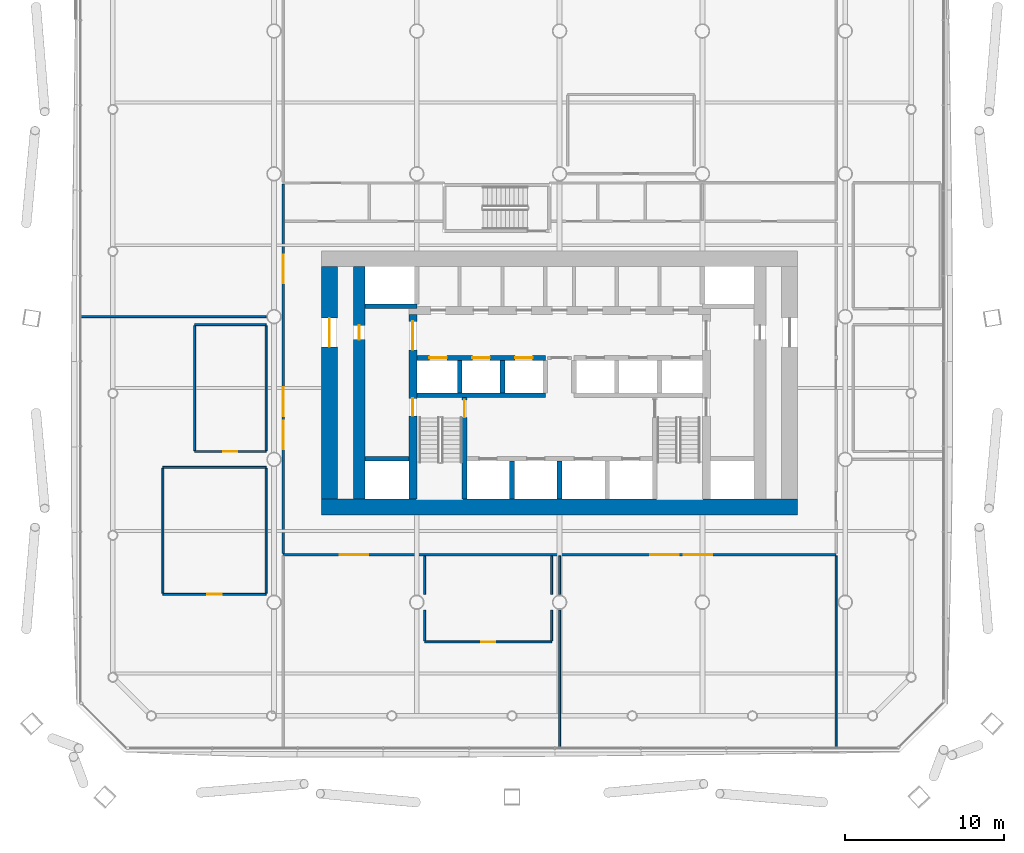
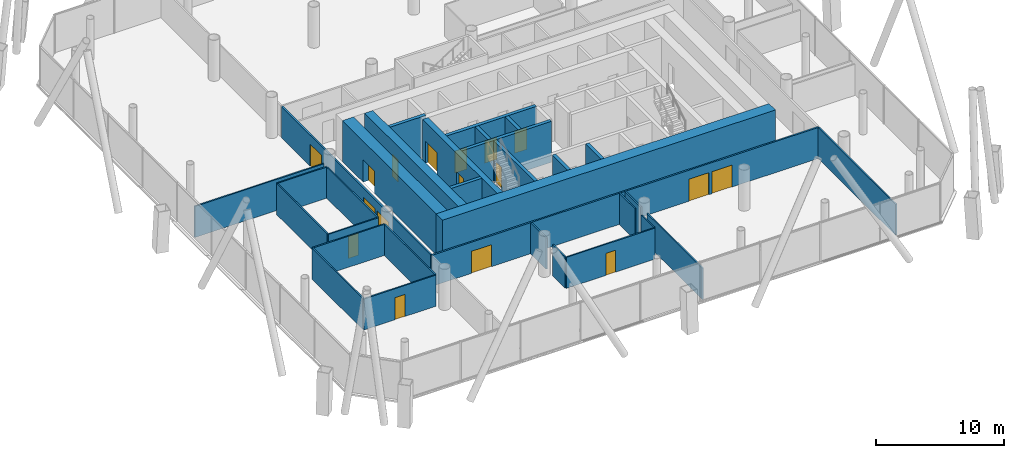
# One storey, part 17 of 25: 32 walls, 17 doors, 17 openings.
"""IFC4 building model written with IfcOpenShell, lengths in metres."""

from ifc_helpers import new_model, si_unit, direction, frame, frame_2d, origin, place, context, subcontext, project, spatial, rectangle, extrude, material, layer, layer_set, type_object, element, fill, save


model = new_model("IFC4")

# Units and contexts
model_context = context("Model", 3, precision=1e-05, world=origin(), true_north=direction((0.0, 1.0)))
body_context = subcontext(model_context, "Body", "Model", "MODEL_VIEW")
ifc_project = project(units=[si_unit("LENGTHUNIT", "METRE"), si_unit("AREAUNIT", "SQUARE_METRE"), si_unit("VOLUMEUNIT", "CUBIC_METRE"), si_unit("PLANEANGLEUNIT", "RADIAN"), si_unit("MASSUNIT", "GRAM", prefix="KILO")], contexts=[model_context])

# Site, building, storey
site_placement = place(None, origin())
site = spatial("IfcSite", under=ifc_project, at=site_placement, CompositionType="ELEMENT")
building_placement = place(site_placement, origin())
building = spatial("IfcBuilding", under=site, at=building_placement, Name="Tskaro Facet Tower", CompositionType="ELEMENT")
storey_placement = place(building_placement, frame((0.0, 0.0, 22.5)))
storey = spatial("IfcBuildingStorey", under=building, at=storey_placement, Name="L04", CompositionType="ELEMENT", Elevation=22.5)

# Walls
ifc_material_1 = material(Name="Concrete C60/75", Category="concrete")
ifc_layer_1 = layer(ifc_material_1, 0.300048828125, Name="Concrete C60/75")
ifc_layer_set_1 = layer_set([ifc_layer_1], Name="Concrete C60/75")
wall_type_1 = type_object("IfcWallType", Name="CORE-SHAFT", PredefinedType="SHEAR", material=ifc_layer_set_1)
wall_1_placement = place(storey_placement, frame((-12.25, -8.949951171875, 0.0), z_axis=(0.0, 0.0, 1.0), x_axis=(1.0, 0.0, 0.0)))
element("IfcWall", 1, at=wall_1_placement, inside=storey, type_object=wall_type_1, Name="Shaft wall W006", PredefinedType="SHEAR", context=body_context, shape_type="SweptSolid", body=[
    extrude(rectangle(XDim=2.75, YDim=0.300048828125, at=frame_2d((1.375, 0.0))), origin(), (0.0, 0.0, 1.0), 3.89990234375),
])
wall_2_placement = place(storey_placement, frame((-9.0, -4.949951171875, 0.0), z_axis=(0.0, 0.0, 1.0), x_axis=(1.0, 0.0, 0.0)))
element("IfcWall", 2, at=wall_2_placement, inside=storey, type_object=wall_type_1, Name="Shaft wall W011", PredefinedType="SHEAR", context=body_context, shape_type="SweptSolid", body=[
    extrude(rectangle(XDim=8.10009765625, YDim=0.300048828125, at=frame_2d((4.050048828125, 0.0))), origin(), (0.0, 0.0, 1.0), 3.89990234375),
])

# Wall, openings, doors
wall_3_placement = place(storey_placement, frame((-9.0, -2.60009765625, 0.0), z_axis=(0.0, 0.0, 1.0), x_axis=(1.0, 0.0, 0.0)))
wall_3 = element("IfcWall", 3, at=wall_3_placement, inside=storey, type_object=wall_type_1, Name="Shaft wall W013", PredefinedType="SHEAR", context=body_context, shape_type="SweptSolid", body=[
    extrude(rectangle(XDim=8.10009765625, YDim=0.300048828125, at=frame_2d((4.050048828125, 0.0))), origin(), (0.0, 0.0, 1.0), 3.89990234375),
])
opening_1_placement = place(wall_3_placement, frame((0.800048828125, 0.0, 0.0)))
opening_1 = element("IfcOpeningElement", 4, at=opening_1_placement, cuts=wall_3, Name="Opening LD-LR1", PredefinedType="OPENING", context=body_context, shape_type="SweptSolid", body=[
    extrude(rectangle(XDim=1.10009765625, YDim=2.10009765625, at=frame_2d((0.550048828125, 1.050048828125))), frame((0.0, 0.159912109375, 0.0), z_axis=(0.0, -1.0, 0.0), x_axis=(1.0, 0.0, 0.0)), (0.0, 0.0, 1.0), 0.320068359375),
])
opening_2_placement = place(wall_3_placement, frame((3.5, 0.0, 0.0)))
opening_2 = element("IfcOpeningElement", 5, at=opening_2_placement, cuts=wall_3, Name="Opening LD-LR2", PredefinedType="OPENING", context=body_context, shape_type="SweptSolid", body=[
    extrude(rectangle(XDim=1.10009765625, YDim=2.10009765625, at=frame_2d((0.550048828125, 1.050048828125))), frame((0.0, 0.159912109375, 0.0), z_axis=(0.0, -1.0, 0.0), x_axis=(1.0, 0.0, 0.0)), (0.0, 0.0, 1.0), 0.320068359375),
])
opening_3_placement = place(wall_3_placement, frame((6.199951171875, 0.0, 0.0)))
opening_3 = element("IfcOpeningElement", 6, at=opening_3_placement, cuts=wall_3, Name="Opening LD-LR3", PredefinedType="OPENING", context=body_context, shape_type="SweptSolid", body=[
    extrude(rectangle(XDim=1.10009765625, YDim=2.10009765625, at=frame_2d((0.550048828125, 1.050048828125))), frame((0.0, 0.159912109375, 0.0), z_axis=(0.0, -1.0, 0.0), x_axis=(1.0, 0.0, 0.0)), (0.0, 0.0, 1.0), 0.320068359375),
])
ifc_material_2 = material(Name="Stainless steel", Category="steel")
door_type_1 = type_object("IfcDoorType", Name="D-LANDING", OperationType="NOTDEFINED", PredefinedType="DOOR", material=ifc_material_2)
door_1_placement = place(opening_1_placement, origin())
door_1 = element("IfcDoor", 7, at=door_1_placement, inside=storey, type_object=door_type_1, Name="Landing door LR1", OperationType="DOUBLE_DOOR_SLIDING", OverallHeight=2.10009765625, OverallWidth=1.10009765625, PredefinedType="DOOR", context=body_context, shape_type="SweptSolid", body=[
    extrude(rectangle(XDim=1.10009765625, YDim=2.10009765625, at=frame_2d((0.550048828125, 1.050048828125))), frame((0.0, 0.02490234375, 0.0), z_axis=(0.0, -1.0, 0.0), x_axis=(1.0, 0.0, 0.0)), (0.0, 0.0, 1.0), 0.050048828125),
])
fill(opening_1, door_1)
door_2_placement = place(opening_2_placement, origin())
door_2 = element("IfcDoor", 8, at=door_2_placement, inside=storey, type_object=door_type_1, Name="Landing door LR2", OperationType="DOUBLE_DOOR_SLIDING", OverallHeight=2.10009765625, OverallWidth=1.10009765625, PredefinedType="DOOR", context=body_context, shape_type="SweptSolid", body=[
    extrude(rectangle(XDim=1.10009765625, YDim=2.10009765625, at=frame_2d((0.550048828125, 1.050048828125))), frame((0.0, 0.02490234375, 0.0), z_axis=(0.0, -1.0, 0.0), x_axis=(1.0, 0.0, 0.0)), (0.0, 0.0, 1.0), 0.050048828125),
])
fill(opening_2, door_2)
door_3_placement = place(opening_3_placement, origin())
door_3 = element("IfcDoor", 9, at=door_3_placement, inside=storey, type_object=door_type_1, Name="Landing door LR3", OperationType="DOUBLE_DOOR_SLIDING", OverallHeight=2.10009765625, OverallWidth=1.10009765625, PredefinedType="DOOR", context=body_context, shape_type="SweptSolid", body=[
    extrude(rectangle(XDim=1.10009765625, YDim=2.10009765625, at=frame_2d((0.550048828125, 1.050048828125))), frame((0.0, 0.02490234375, 0.0), z_axis=(0.0, -1.0, 0.0), x_axis=(1.0, 0.0, 0.0)), (0.0, 0.0, 1.0), 0.050048828125),
])
fill(opening_3, door_3)

# Walls
wall_4_placement = place(storey_placement, frame((-9.0, 0.64990234375, 0.0), z_axis=(0.0, 0.0, 1.0), x_axis=(-1.0, 0.0, 0.0)))
element("IfcWall", 10, at=wall_4_placement, inside=storey, type_object=wall_type_1, Name="Shaft wall W020", PredefinedType="SHEAR", context=body_context, shape_type="SweptSolid", body=[
    extrude(rectangle(XDim=3.25, YDim=0.300048828125, at=frame_2d((1.625, 0.0))), origin(), (0.0, 0.0, 1.0), 3.89990234375),
])
wall_5_placement = place(storey_placement, frame((-6.300048828125, -4.800048828125, 0.0), z_axis=(0.0, 0.0, 1.0), x_axis=(0.0, 1.0, 0.0)))
element("IfcWall", 11, at=wall_5_placement, inside=storey, type_object=wall_type_1, Name="Shaft wall W044", PredefinedType="SHEAR", context=body_context, shape_type="SweptSolid", body=[
    extrude(rectangle(XDim=2.050048828125, YDim=0.300048828125, at=frame_2d((1.02490234375, 0.0))), origin(), (0.0, 0.0, 1.0), 3.89990234375),
])

# Wall, opening, door
wall_6_placement = place(storey_placement, frame((-6.0, -11.5, 0.0), z_axis=(0.0, 0.0, 1.0), x_axis=(0.0, 1.0, 0.0)))
wall_6 = element("IfcWall", 12, at=wall_6_placement, inside=storey, type_object=wall_type_1, Name="Shaft wall W046", PredefinedType="SHEAR", context=body_context, shape_type="SweptSolid", body=[
    extrude(rectangle(XDim=6.39990234375, YDim=0.300048828125, at=frame_2d((3.199951171875, 0.0))), origin(), (0.0, 0.0, 1.0), 3.89990234375),
])
opening_4_placement = place(wall_6_placement, frame((5.14990234375, 0.0, 0.0)))
opening_4 = element("IfcOpeningElement", 13, at=opening_4_placement, cuts=wall_6, Name="Opening ST-1-D1", PredefinedType="OPENING", context=body_context, shape_type="SweptSolid", body=[
    extrude(rectangle(XDim=1.10009765625, YDim=2.10009765625, at=frame_2d((0.550048828125, 1.050048828125))), frame((0.0, 0.159912109375, 0.0), z_axis=(0.0, -1.0, 0.0), x_axis=(1.0, 0.0, 0.0)), (0.0, 0.0, 1.0), 0.320068359375),
])
ifc_material_3 = material(Name="Steel", Category="steel")
door_type_2 = type_object("IfcDoorType", Name="D-STAIR", OperationType="NOTDEFINED", PredefinedType="DOOR", material=ifc_material_3)
door_4_placement = place(opening_4_placement, origin())
door_4 = element("IfcDoor", 14, at=door_4_placement, inside=storey, type_object=door_type_2, Name="Stair door 1", OperationType="SINGLE_SWING_LEFT", OverallHeight=2.10009765625, OverallWidth=1.10009765625, PredefinedType="DOOR", context=body_context, shape_type="SweptSolid", body=[
    extrude(rectangle(XDim=1.10009765625, YDim=2.10009765625, at=frame_2d((0.550048828125, 1.050048828125))), frame((0.0, 0.02490234375, 0.0), z_axis=(0.0, -1.0, 0.0), x_axis=(1.0, 0.0, 0.0)), (0.0, 0.0, 1.0), 0.050048828125),
])
fill(opening_4, door_4)

# Walls
wall_7_placement = place(storey_placement, frame((-3.60009765625, -4.800048828125, 0.0), z_axis=(0.0, 0.0, 1.0), x_axis=(0.0, 1.0, 0.0)))
element("IfcWall", 15, at=wall_7_placement, inside=storey, type_object=wall_type_1, Name="Shaft wall W047", PredefinedType="SHEAR", context=body_context, shape_type="SweptSolid", body=[
    extrude(rectangle(XDim=2.050048828125, YDim=0.300048828125, at=frame_2d((1.02490234375, 0.0))), origin(), (0.0, 0.0, 1.0), 3.89990234375),
])
for number, where, z_axis, x_axis, name in (
    (16, (-3.0, -11.5, 0.0), (0.0, 0.0, 1.0), (0.0, 1.0, 0.0), "Shaft wall W049"),
    (17, (0.0, -11.5, 0.0), (0.0, 0.0, 1.0), (0.0, 1.0, 0.0), "Shaft wall W057"),
):
    element("IfcWall", number, at=place(storey_placement, frame(where, z_axis=z_axis, x_axis=x_axis)), inside=storey, type_object=wall_type_1, Name=name, PredefinedType="SHEAR", context=body_context, shape_type="SweptSolid", body=[
        extrude(rectangle(XDim=2.39990234375, YDim=0.300048828125, at=frame_2d((1.199951171875, 0.0))), origin(), (0.0, 0.0, 1.0), 3.89990234375),
    ])
ifc_layer_2 = layer(ifc_material_1, 1.0, Name="Concrete C60/75")
ifc_layer_set_2 = layer_set([ifc_layer_2], Name="Concrete C60/75")
wall_type_2 = type_object("IfcWallType", Name="Core wall 1000", PredefinedType="SHEAR", material=ifc_layer_set_2)
wall_8_placement = place(storey_placement, frame((-15.0, -12.0, 0.0), z_axis=(0.0, 0.0, 1.0), x_axis=(1.0, 0.0, 0.0)))
element("IfcWall", 18, at=wall_8_placement, inside=storey, type_object=wall_type_2, Name="Core wall CW-Z1S", PredefinedType="SHEAR", context=body_context, shape_type="SweptSolid", body=[
    extrude(rectangle(XDim=30.0, YDim=1.0, at=frame_2d((15.0, 0.0))), origin(), (0.0, 0.0, 1.0), 3.89990234375),
])

# Wall, opening, door
wall_9_placement = place(storey_placement, frame((-14.5, -11.5, 0.0), z_axis=(0.0, 0.0, 1.0), x_axis=(0.0, 1.0, 0.0)))
wall_9 = element("IfcWall", 19, at=wall_9_placement, inside=storey, type_object=wall_type_2, Name="Core wall CW-Z1W", PredefinedType="SHEAR", context=body_context, shape_type="SweptSolid", body=[
    extrude(rectangle(XDim=14.64990234375, YDim=1.0, at=frame_2d((7.324951171875, 0.0))), origin(), (0.0, 0.0, 1.0), 3.89990234375),
])
opening_5_placement = place(wall_9_placement, frame((9.60009765625, 0.0, 0.0)))
opening_5 = element("IfcOpeningElement", 20, at=opening_5_placement, cuts=wall_9, Name="Opening T1-D17", PredefinedType="OPENING", context=body_context, shape_type="SweptSolid", body=[
    extrude(rectangle(XDim=1.800048828125, YDim=2.10009765625, at=frame_2d((0.89990234375, 1.050048828125))), frame((0.0, 0.510009765625, 0.0), z_axis=(0.0, -1.0, 0.0), x_axis=(1.0, 0.0, 0.0)), (0.0, 0.0, 1.0), 1.02001953125),
])
door_type_3 = type_object("IfcDoorType", Name="D-CORE-PAIR", OperationType="NOTDEFINED", PredefinedType="DOOR", material=ifc_material_3)
door_5_placement = place(opening_5_placement, origin())
door_5 = element("IfcDoor", 21, at=door_5_placement, inside=storey, type_object=door_type_3, Name="Door T1-D17", OperationType="DOUBLE_DOOR_SINGLE_SWING", OverallHeight=2.10009765625, OverallWidth=1.800048828125, PredefinedType="DOOR", context=body_context, shape_type="SweptSolid", body=[
    extrude(rectangle(XDim=1.800048828125, YDim=2.10009765625, at=frame_2d((0.89990234375, 1.050048828125))), frame((0.0, 0.02490234375, 0.0), z_axis=(0.0, -1.0, 0.0), x_axis=(1.0, 0.0, 0.0)), (0.0, 0.0, 1.0), 0.050048828125),
])
fill(opening_5, door_5)

# Wall, openings, doors
ifc_material_4 = material(Name="Concrete C40/50", Category="concrete")
ifc_layer_3 = layer(ifc_material_4, 0.5, Name="Concrete C40/50")
ifc_layer_set_3 = layer_set([ifc_layer_3], Name="Concrete C40/50")
wall_type_3 = type_object("IfcWallType", Name="Core wall 500", PredefinedType="SHEAR", material=ifc_layer_set_3)
wall_10_placement = place(storey_placement, frame((-9.25, -11.5, 0.0), z_axis=(0.0, 0.0, 1.0), x_axis=(0.0, 1.0, 0.0)))
wall_10 = element("IfcWall", 22, at=wall_10_placement, inside=storey, type_object=wall_type_3, Name="Core wall CW-Z3W", PredefinedType="SHEAR", context=body_context, shape_type="SweptSolid", body=[
    extrude(rectangle(XDim=11.64990234375, YDim=0.5, at=frame_2d((5.824951171875, 0.0))), origin(), (0.0, 0.0, 1.0), 3.89990234375),
])
opening_6_placement = place(wall_10_placement, frame((9.39990234375, 0.0, 0.0)))
opening_6 = element("IfcOpeningElement", 23, at=opening_6_placement, cuts=wall_10, Name="Opening T1-D15", PredefinedType="OPENING", context=body_context, shape_type="SweptSolid", body=[
    extrude(rectangle(XDim=1.800048828125, YDim=2.10009765625, at=frame_2d((0.89990234375, 1.050048828125))), frame((0.0, 0.260009765625, 0.0), z_axis=(0.0, -1.0, 0.0), x_axis=(1.0, 0.0, 0.0)), (0.0, 0.0, 1.0), 0.52001953125),
])
opening_7_placement = place(wall_10_placement, frame((5.25, 0.0, 0.0)))
opening_7 = element("IfcOpeningElement", 24, at=opening_7_placement, cuts=wall_10, Name="Opening ST-1-D2", PredefinedType="OPENING", context=body_context, shape_type="SweptSolid", body=[
    extrude(rectangle(XDim=1.10009765625, YDim=2.10009765625, at=frame_2d((0.550048828125, 1.050048828125))), frame((0.0, 0.260009765625, 0.0), z_axis=(0.0, -1.0, 0.0), x_axis=(1.0, 0.0, 0.0)), (0.0, 0.0, 1.0), 0.52001953125),
])
door_6_placement = place(opening_6_placement, origin())
door_6 = element("IfcDoor", 25, at=door_6_placement, inside=storey, type_object=door_type_3, Name="Door T1-D15", OperationType="DOUBLE_DOOR_SINGLE_SWING", OverallHeight=2.10009765625, OverallWidth=1.800048828125, PredefinedType="DOOR", context=body_context, shape_type="SweptSolid", body=[
    extrude(rectangle(XDim=1.800048828125, YDim=2.10009765625, at=frame_2d((0.89990234375, 1.050048828125))), frame((0.0, 0.02490234375, 0.0), z_axis=(0.0, -1.0, 0.0), x_axis=(1.0, 0.0, 0.0)), (0.0, 0.0, 1.0), 0.050048828125),
])
fill(opening_6, door_6)
door_7_placement = place(opening_7_placement, origin())
door_7 = element("IfcDoor", 26, at=door_7_placement, inside=storey, type_object=door_type_2, Name="Stair door 1 west", OperationType="SINGLE_SWING_LEFT", OverallHeight=2.10009765625, OverallWidth=1.10009765625, PredefinedType="DOOR", context=body_context, shape_type="SweptSolid", body=[
    extrude(rectangle(XDim=1.10009765625, YDim=2.10009765625, at=frame_2d((0.550048828125, 1.050048828125))), frame((0.0, 0.02490234375, 0.0), z_axis=(0.0, -1.0, 0.0), x_axis=(1.0, 0.0, 0.0)), (0.0, 0.0, 1.0), 0.050048828125),
])
fill(opening_7, door_7)

# Wall, opening, door
ifc_material_5 = material(Name="Concrete C50/60", Category="concrete")
ifc_layer_4 = layer(ifc_material_5, 0.75, Name="Concrete C50/60")
ifc_layer_set_4 = layer_set([ifc_layer_4], Name="Concrete C50/60")
wall_type_4 = type_object("IfcWallType", Name="Core wall 750", PredefinedType="SHEAR", material=ifc_layer_set_4)
wall_11_placement = place(storey_placement, frame((-12.625, -11.5, 0.0), z_axis=(0.0, 0.0, 1.0), x_axis=(0.0, 1.0, 0.0)))
wall_11 = element("IfcWall", 27, at=wall_11_placement, inside=storey, type_object=wall_type_4, Name="Core wall CW-Z2W", PredefinedType="SHEAR", context=body_context, shape_type="SweptSolid", body=[
    extrude(rectangle(XDim=14.64990234375, YDim=0.75, at=frame_2d((7.324951171875, 0.0))), origin(), (0.0, 0.0, 1.0), 3.89990234375),
])
opening_8_placement = place(wall_11_placement, frame((10.050048828125, 0.0, 0.0)))
opening_8 = element("IfcOpeningElement", 28, at=opening_8_placement, cuts=wall_11, Name="Opening T1-D18", PredefinedType="OPENING", context=body_context, shape_type="SweptSolid", body=[
    extrude(rectangle(XDim=0.89990234375, YDim=2.10009765625, at=frame_2d((0.449951171875, 1.050048828125))), frame((0.0, 0.385009765625, 0.0), z_axis=(0.0, -1.0, 0.0), x_axis=(1.0, 0.0, 0.0)), (0.0, 0.0, 1.0), 0.77001953125),
])
ifc_material_6 = material(Name="Timber", Category="wood")
door_type_4 = type_object("IfcDoorType", Name="D-ROOM", OperationType="NOTDEFINED", PredefinedType="DOOR", material=ifc_material_6)
door_8_placement = place(opening_8_placement, origin())
door_8 = element("IfcDoor", 29, at=door_8_placement, inside=storey, type_object=door_type_4, Name="Door T1-D18", OperationType="SINGLE_SWING_LEFT", OverallHeight=2.10009765625, OverallWidth=0.89990234375, PredefinedType="DOOR", context=body_context, shape_type="SweptSolid", body=[
    extrude(rectangle(XDim=0.89990234375, YDim=2.10009765625, at=frame_2d((0.449951171875, 1.050048828125))), frame((0.0, 0.02490234375, 0.0), z_axis=(0.0, -1.0, 0.0), x_axis=(1.0, 0.0, 0.0)), (0.0, 0.0, 1.0), 0.050048828125),
])
fill(opening_8, door_8)

ifc_material_7 = material(Name="Gypsum board on steel studs", Category="steel")
ifc_layer_5 = layer(ifc_material_7, 0.125, Name="Gypsum board on steel studs")
ifc_layer_set_5 = layer_set([ifc_layer_5], Name="Gypsum board on steel studs")
wall_type_5 = type_object("IfcWallType", Name="PART", PredefinedType="PARTITIONING", material=ifc_layer_set_5)
wall_12_placement = place(storey_placement, frame((-8.5, -20.5, 0.0), z_axis=(0.0, 0.0, 1.0), x_axis=(1.0, 0.0, 0.0)))
wall_12 = element("IfcWall", 30, at=wall_12_placement, inside=storey, type_object=wall_type_5, Name="Partition W001", PredefinedType="PARTITIONING", context=body_context, shape_type="SweptSolid", body=[
    extrude(rectangle(XDim=8.0, YDim=0.125, at=frame_2d((4.0, 0.0))), origin(), (0.0, 0.0, 1.0), 2.9599609375),
])
opening_9_placement = place(wall_12_placement, frame((3.550048828125, 0.0, 0.0)))
opening_9 = element("IfcOpeningElement", 31, at=opening_9_placement, cuts=wall_12, Name="Opening T1-D01", PredefinedType="OPENING", context=body_context, shape_type="SweptSolid", body=[
    extrude(rectangle(XDim=0.89990234375, YDim=2.10009765625, at=frame_2d((0.449951171875, 1.050048828125))), frame((0.0, 0.072509765625, 0.0), z_axis=(0.0, -1.0, 0.0), x_axis=(1.0, 0.0, 0.0)), (0.0, 0.0, 1.0), 0.14501953125),
])
door_9_placement = place(opening_9_placement, origin())
door_9 = element("IfcDoor", 32, at=door_9_placement, inside=storey, type_object=door_type_4, Name="Door T1-D01", OperationType="SINGLE_SWING_LEFT", OverallHeight=2.10009765625, OverallWidth=0.89990234375, PredefinedType="DOOR", context=body_context, shape_type="SweptSolid", body=[
    extrude(rectangle(XDim=0.89990234375, YDim=2.10009765625, at=frame_2d((0.449951171875, 1.050048828125))), frame((0.0, 0.02490234375, 0.0), z_axis=(0.0, -1.0, 0.0), x_axis=(1.0, 0.0, 0.0)), (0.0, 0.0, 1.0), 0.050048828125),
])
fill(opening_9, door_9)

wall_13_placement = place(storey_placement, frame((-25.0, -17.5, 0.0), z_axis=(0.0, 0.0, 1.0), x_axis=(1.0, 0.0, 0.0)))
wall_13 = element("IfcWall", 33, at=wall_13_placement, inside=storey, type_object=wall_type_5, Name="Partition W002", PredefinedType="PARTITIONING", context=body_context, shape_type="SweptSolid", body=[
    extrude(rectangle(XDim=6.5, YDim=0.125, at=frame_2d((3.25, 0.0))), origin(), (0.0, 0.0, 1.0), 2.9599609375),
])
opening_10_placement = place(wall_13_placement, frame((2.800048828125, 0.0, 0.0)))
opening_10 = element("IfcOpeningElement", 34, at=opening_10_placement, cuts=wall_13, Name="Opening T1-D02", PredefinedType="OPENING", context=body_context, shape_type="SweptSolid", body=[
    extrude(rectangle(XDim=0.89990234375, YDim=2.10009765625, at=frame_2d((0.449951171875, 1.050048828125))), frame((0.0, 0.072509765625, 0.0), z_axis=(0.0, -1.0, 0.0), x_axis=(1.0, 0.0, 0.0)), (0.0, 0.0, 1.0), 0.14501953125),
])
door_10_placement = place(opening_10_placement, origin())
door_10 = element("IfcDoor", 35, at=door_10_placement, inside=storey, type_object=door_type_4, Name="Door T1-D02", OperationType="SINGLE_SWING_LEFT", OverallHeight=2.10009765625, OverallWidth=0.89990234375, PredefinedType="DOOR", context=body_context, shape_type="SweptSolid", body=[
    extrude(rectangle(XDim=0.89990234375, YDim=2.10009765625, at=frame_2d((0.449951171875, 1.050048828125))), frame((0.0, 0.02490234375, 0.0), z_axis=(0.0, -1.0, 0.0), x_axis=(1.0, 0.0, 0.0)), (0.0, 0.0, 1.0), 0.050048828125),
])
fill(opening_10, door_10)

# Wall
wall_14_placement = place(storey_placement, frame((-25.0, -9.5, 0.0), z_axis=(0.0, 0.0, 1.0), x_axis=(1.0, 0.0, 0.0)))
element("IfcWall", 36, at=wall_14_placement, inside=storey, type_object=wall_type_5, Name="Partition W004", PredefinedType="PARTITIONING", context=body_context, shape_type="SweptSolid", body=[
    extrude(rectangle(XDim=6.5, YDim=0.125, at=frame_2d((3.25, 0.0))), origin(), (0.0, 0.0, 1.0), 2.9599609375),
])

# Wall, opening, door
wall_15_placement = place(storey_placement, frame((-23.0, -8.5, 0.0), z_axis=(0.0, 0.0, 1.0), x_axis=(1.0, 0.0, 0.0)))
wall_15 = element("IfcWall", 37, at=wall_15_placement, inside=storey, type_object=wall_type_5, Name="Partition W009", PredefinedType="PARTITIONING", context=body_context, shape_type="SweptSolid", body=[
    extrude(rectangle(XDim=4.5, YDim=0.125, at=frame_2d((2.25, 0.0))), origin(), (0.0, 0.0, 1.0), 2.9599609375),
])
opening_11_placement = place(wall_15_placement, frame((1.800048828125, 0.0, 0.0)))
opening_11 = element("IfcOpeningElement", 38, at=opening_11_placement, cuts=wall_15, Name="Opening T1-D09", PredefinedType="OPENING", context=body_context, shape_type="SweptSolid", body=[
    extrude(rectangle(XDim=0.89990234375, YDim=2.10009765625, at=frame_2d((0.449951171875, 1.050048828125))), frame((0.0, 0.072509765625, 0.0), z_axis=(0.0, -1.0, 0.0), x_axis=(1.0, 0.0, 0.0)), (0.0, 0.0, 1.0), 0.14501953125),
])
door_11_placement = place(opening_11_placement, origin())
door_11 = element("IfcDoor", 39, at=door_11_placement, inside=storey, type_object=door_type_4, Name="Door T1-D09", OperationType="SINGLE_SWING_LEFT", OverallHeight=2.10009765625, OverallWidth=0.89990234375, PredefinedType="DOOR", context=body_context, shape_type="SweptSolid", body=[
    extrude(rectangle(XDim=0.89990234375, YDim=2.10009765625, at=frame_2d((0.449951171875, 1.050048828125))), frame((0.0, 0.02490234375, 0.0), z_axis=(0.0, -1.0, 0.0), x_axis=(1.0, 0.0, 0.0)), (0.0, 0.0, 1.0), 0.050048828125),
])
fill(opening_11, door_11)

# Walls
wall_16_placement = place(storey_placement, frame((-23.0, -0.5, 0.0), z_axis=(0.0, 0.0, 1.0), x_axis=(1.0, 0.0, 0.0)))
element("IfcWall", 40, at=wall_16_placement, inside=storey, type_object=wall_type_5, Name="Partition W016", PredefinedType="PARTITIONING", context=body_context, shape_type="SweptSolid", body=[
    extrude(rectangle(XDim=4.5, YDim=0.125, at=frame_2d((2.25, 0.0))), origin(), (0.0, 0.0, 1.0), 2.9599609375),
])
wall_17_placement = place(storey_placement, frame((-30.152099609375, 0.0, 0.0), z_axis=(0.0, 0.0, 1.0), x_axis=(1.0, 0.0, 0.0)))
element("IfcWall", 41, at=wall_17_placement, inside=storey, type_object=wall_type_5, Name="Partition W018", PredefinedType="PARTITIONING", context=body_context, shape_type="SweptSolid", body=[
    extrude(rectangle(XDim=11.652099609375, YDim=0.125, at=frame_2d((5.826171875, 0.0))), origin(), (0.0, 0.0, 1.0), 2.9599609375),
])
for number, where, z_axis, x_axis, name in (
    (42, (-25.0, -17.4375, 0.0), (0.0, 0.0, 1.0), (0.0, 1.0, 0.0), "Partition W032"),
    (43, (-23.0, -8.4375, 0.0), (0.0, 0.0, 1.0), (0.0, 1.0, 0.0), "Partition W033"),
    (44, (-18.5, -17.4375, 0.0), (0.0, 0.0, 1.0), (0.0, 1.0, 0.0), "Partition W034"),
    (45, (-18.5, -8.4375, 0.0), (0.0, 0.0, 1.0), (0.0, 1.0, 0.0), "Partition W035"),
):
    element("IfcWall", number, at=place(storey_placement, frame(where, z_axis=z_axis, x_axis=x_axis)), inside=storey, type_object=wall_type_5, Name=name, PredefinedType="PARTITIONING", context=body_context, shape_type="SweptSolid", body=[
        extrude(rectangle(XDim=7.875, YDim=0.125, at=frame_2d((3.9375, 0.0))), origin(), (0.0, 0.0, 1.0), 2.9599609375),
    ])
wall_18_placement = place(storey_placement, frame((-8.5, -20.4375, 0.0), z_axis=(0.0, 0.0, 1.0), x_axis=(0.0, 1.0, 0.0)))
element("IfcWall", 46, at=wall_18_placement, inside=storey, type_object=wall_type_5, Name="Partition W041", PredefinedType="PARTITIONING", context=body_context, shape_type="SweptSolid", body=[
    extrude(rectangle(XDim=1.9375, YDim=0.125, at=frame_2d((0.96875, 0.0))), origin(), (0.0, 0.0, 1.0), 2.9599609375),
])
wall_19_placement = place(storey_placement, frame((-8.5, -17.5, 0.0), z_axis=(0.0, 0.0, 1.0), x_axis=(0.0, 1.0, 0.0)))
element("IfcWall", 47, at=wall_19_placement, inside=storey, type_object=wall_type_5, Name="Partition W042", PredefinedType="PARTITIONING", context=body_context, shape_type="SweptSolid", body=[
    extrude(rectangle(XDim=2.425048828125, YDim=0.125, at=frame_2d((1.21240234375, 0.0))), origin(), (0.0, 0.0, 1.0), 2.9599609375),
])
wall_20_placement = place(storey_placement, frame((-0.5, -20.4375, 0.0), z_axis=(0.0, 0.0, 1.0), x_axis=(0.0, 1.0, 0.0)))
element("IfcWall", 48, at=wall_20_placement, inside=storey, type_object=wall_type_5, Name="Partition W053", PredefinedType="PARTITIONING", context=body_context, shape_type="SweptSolid", body=[
    extrude(rectangle(XDim=1.9375, YDim=0.125, at=frame_2d((0.96875, 0.0))), origin(), (0.0, 0.0, 1.0), 2.9599609375),
])
wall_21_placement = place(storey_placement, frame((-0.5, -17.5, 0.0), z_axis=(0.0, 0.0, 1.0), x_axis=(0.0, 1.0, 0.0)))
element("IfcWall", 49, at=wall_21_placement, inside=storey, type_object=wall_type_5, Name="Partition W054", PredefinedType="PARTITIONING", context=body_context, shape_type="SweptSolid", body=[
    extrude(rectangle(XDim=2.425048828125, YDim=0.125, at=frame_2d((1.21240234375, 0.0))), origin(), (0.0, 0.0, 1.0), 2.9599609375),
])
wall_22_placement = place(storey_placement, frame((0.0, -27.152099609375, 0.0), z_axis=(0.0, 0.0, 1.0), x_axis=(0.0, 1.0, 0.0)))
element("IfcWall", 50, at=wall_22_placement, inside=storey, type_object=wall_type_5, Name="Partition W055", PredefinedType="PARTITIONING", context=body_context, shape_type="SweptSolid", body=[
    extrude(rectangle(XDim=8.652099609375, YDim=0.125, at=frame_2d((4.326171875, 0.0))), origin(), (0.0, 0.0, 1.0), 2.9599609375),
])
wall_23_placement = place(storey_placement, frame((0.0, -17.5, 0.0), z_axis=(0.0, 0.0, 1.0), x_axis=(0.0, 1.0, 0.0)))
element("IfcWall", 51, at=wall_23_placement, inside=storey, type_object=wall_type_5, Name="Partition W056", PredefinedType="PARTITIONING", context=body_context, shape_type="SweptSolid", body=[
    extrude(rectangle(XDim=2.425048828125, YDim=0.125, at=frame_2d((1.21240234375, 0.0))), origin(), (0.0, 0.0, 1.0), 2.9599609375),
])
wall_24_placement = place(storey_placement, frame((17.425048828125, -27.152099609375, 0.0), z_axis=(0.0, 0.0, 1.0), x_axis=(0.0, 1.0, 0.0)))
element("IfcWall", 52, at=wall_24_placement, inside=storey, type_object=wall_type_5, Name="Partition W072", PredefinedType="PARTITIONING", context=body_context, shape_type="SweptSolid", body=[
    extrude(rectangle(XDim=12.0771484375, YDim=0.125, at=frame_2d((6.03857421875, 0.0))), origin(), (0.0, 0.0, 1.0), 2.9599609375),
])

# Wall, openings, doors
ifc_layer_6 = layer(ifc_material_7, 0.14990234375, Name="Gypsum board on steel studs")
ifc_layer_set_6 = layer_set([ifc_layer_6], Name="Gypsum board on steel studs")
wall_type_6 = type_object("IfcWallType", Name="PART-CORR", PredefinedType="PARTITIONING", material=ifc_layer_set_6)
wall_25_placement = place(storey_placement, frame((-17.425048828125, -15.0, 0.0), z_axis=(0.0, 0.0, 1.0), x_axis=(1.0, 0.0, 0.0)))
wall_25 = element("IfcWall", 53, at=wall_25_placement, inside=storey, type_object=wall_type_6, Name="Corridor wall W003", PredefinedType="PARTITIONING", context=body_context, shape_type="SweptSolid", body=[
    extrude(rectangle(XDim=34.85009765625, YDim=0.14990234375, at=frame_2d((17.425048828125, 0.0))), origin(), (0.0, 0.0, 1.0), 2.9599609375),
])
opening_12_placement = place(wall_25_placement, frame((3.5625, 0.0, 0.0)))
opening_12 = element("IfcOpeningElement", 54, at=opening_12_placement, cuts=wall_25, Name="Opening T1-D03", PredefinedType="OPENING", context=body_context, shape_type="SweptSolid", body=[
    extrude(rectangle(XDim=1.800048828125, YDim=2.10009765625, at=frame_2d((0.89990234375, 1.050048828125))), frame((0.0, 0.0849609375, 0.0), z_axis=(0.0, -1.0, 0.0), x_axis=(1.0, 0.0, 0.0)), (0.0, 0.0, 1.0), 0.169921875),
])
opening_13_placement = place(wall_25_placement, frame((25.237548828125, 0.0, 0.0)))
opening_13 = element("IfcOpeningElement", 55, at=opening_13_placement, cuts=wall_25, Name="Opening T1-D05", PredefinedType="OPENING", context=body_context, shape_type="SweptSolid", body=[
    extrude(rectangle(XDim=1.800048828125, YDim=2.10009765625, at=frame_2d((0.89990234375, 1.050048828125))), frame((0.0, 0.0849609375, 0.0), z_axis=(0.0, -1.0, 0.0), x_axis=(1.0, 0.0, 0.0)), (0.0, 0.0, 1.0), 0.169921875),
])
opening_14_placement = place(wall_25_placement, frame((23.137451171875, 0.0, 0.0)))
opening_14 = element("IfcOpeningElement", 56, at=opening_14_placement, cuts=wall_25, Name="Opening T1-D04", PredefinedType="OPENING", context=body_context, shape_type="SweptSolid", body=[
    extrude(rectangle(XDim=1.800048828125, YDim=2.10009765625, at=frame_2d((0.89990234375, 1.050048828125))), frame((0.0, 0.0849609375, 0.0), z_axis=(0.0, -1.0, 0.0), x_axis=(1.0, 0.0, 0.0)), (0.0, 0.0, 1.0), 0.169921875),
])
ifc_material_8 = material(Name="Glass", Category="glass")
door_type_5 = type_object("IfcDoorType", Name="D-ENTRY-PAIR", OperationType="NOTDEFINED", PredefinedType="DOOR", material=ifc_material_8)
door_12_placement = place(opening_12_placement, origin())
door_12 = element("IfcDoor", 57, at=door_12_placement, inside=storey, type_object=door_type_5, Name="Door T1-D03", OperationType="DOUBLE_DOOR_SINGLE_SWING", OverallHeight=2.10009765625, OverallWidth=1.800048828125, PredefinedType="DOOR", context=body_context, shape_type="SweptSolid", body=[
    extrude(rectangle(XDim=1.800048828125, YDim=2.10009765625, at=frame_2d((0.89990234375, 1.050048828125))), frame((0.0, 0.02490234375, 0.0), z_axis=(0.0, -1.0, 0.0), x_axis=(1.0, 0.0, 0.0)), (0.0, 0.0, 1.0), 0.050048828125),
])
fill(opening_12, door_12)
door_13_placement = place(opening_13_placement, origin())
door_13 = element("IfcDoor", 58, at=door_13_placement, inside=storey, type_object=door_type_5, Name="Door T1-D05", OperationType="DOUBLE_DOOR_SINGLE_SWING", OverallHeight=2.10009765625, OverallWidth=1.800048828125, PredefinedType="DOOR", context=body_context, shape_type="SweptSolid", body=[
    extrude(rectangle(XDim=1.800048828125, YDim=2.10009765625, at=frame_2d((0.89990234375, 1.050048828125))), frame((0.0, 0.02490234375, 0.0), z_axis=(0.0, -1.0, 0.0), x_axis=(1.0, 0.0, 0.0)), (0.0, 0.0, 1.0), 0.050048828125),
])
fill(opening_13, door_13)
door_14_placement = place(opening_14_placement, origin())
door_14 = element("IfcDoor", 59, at=door_14_placement, inside=storey, type_object=door_type_5, Name="Door T1-D04", OperationType="DOUBLE_DOOR_SINGLE_SWING", OverallHeight=2.10009765625, OverallWidth=1.800048828125, PredefinedType="DOOR", context=body_context, shape_type="SweptSolid", body=[
    extrude(rectangle(XDim=1.800048828125, YDim=2.10009765625, at=frame_2d((0.89990234375, 1.050048828125))), frame((0.0, 0.02490234375, 0.0), z_axis=(0.0, -1.0, 0.0), x_axis=(1.0, 0.0, 0.0)), (0.0, 0.0, 1.0), 0.050048828125),
])
fill(opening_14, door_14)

wall_26_placement = place(storey_placement, frame((-17.425048828125, 8.35009765625, 0.0), z_axis=(0.0, 0.0, 1.0), x_axis=(0.0, -1.0, 0.0)))
wall_26 = element("IfcWall", 60, at=wall_26_placement, inside=storey, type_object=wall_type_6, Name="Corridor wall W037", PredefinedType="PARTITIONING", context=body_context, shape_type="SweptSolid", body=[
    extrude(rectangle(XDim=23.275146484375, YDim=0.14990234375, at=frame_2d((11.6376953125, 0.0))), origin(), (0.0, 0.0, 1.0), 2.9599609375),
])
opening_15_placement = place(wall_26_placement, frame((14.91259765625, 0.0, 0.0)))
opening_15 = element("IfcOpeningElement", 61, at=opening_15_placement, cuts=wall_26, Name="Opening T1-D11", PredefinedType="OPENING", context=body_context, shape_type="SweptSolid", body=[
    extrude(rectangle(XDim=1.800048828125, YDim=2.10009765625, at=frame_2d((0.89990234375, 1.050048828125))), frame((0.0, 0.0849609375, 0.0), z_axis=(0.0, -1.0, 0.0), x_axis=(1.0, 0.0, 0.0)), (0.0, 0.0, 1.0), 0.169921875),
])
opening_16_placement = place(wall_26_placement, frame((12.8125, 0.0, 0.0)))
opening_16 = element("IfcOpeningElement", 62, at=opening_16_placement, cuts=wall_26, Name="Opening T1-D12", PredefinedType="OPENING", context=body_context, shape_type="SweptSolid", body=[
    extrude(rectangle(XDim=1.800048828125, YDim=2.10009765625, at=frame_2d((0.89990234375, 1.050048828125))), frame((0.0, 0.0849609375, 0.0), z_axis=(0.0, -1.0, 0.0), x_axis=(1.0, 0.0, 0.0)), (0.0, 0.0, 1.0), 0.169921875),
])
opening_17_placement = place(wall_26_placement, frame((4.449951171875, 0.0, 0.0)))
opening_17 = element("IfcOpeningElement", 63, at=opening_17_placement, cuts=wall_26, Name="Opening T1-D31", PredefinedType="OPENING", context=body_context, shape_type="SweptSolid", body=[
    extrude(rectangle(XDim=1.800048828125, YDim=2.10009765625, at=frame_2d((0.89990234375, 1.050048828125))), frame((0.0, 0.0849609375, 0.0), z_axis=(0.0, -1.0, 0.0), x_axis=(1.0, 0.0, 0.0)), (0.0, 0.0, 1.0), 0.169921875),
])
door_15_placement = place(opening_15_placement, origin())
door_15 = element("IfcDoor", 64, at=door_15_placement, inside=storey, type_object=door_type_5, Name="Door T1-D11", OperationType="DOUBLE_DOOR_SINGLE_SWING", OverallHeight=2.10009765625, OverallWidth=1.800048828125, PredefinedType="DOOR", context=body_context, shape_type="SweptSolid", body=[
    extrude(rectangle(XDim=1.800048828125, YDim=2.10009765625, at=frame_2d((0.89990234375, 1.050048828125))), frame((0.0, 0.02490234375, 0.0), z_axis=(0.0, -1.0, 0.0), x_axis=(1.0, 0.0, 0.0)), (0.0, 0.0, 1.0), 0.050048828125),
])
fill(opening_15, door_15)
door_16_placement = place(opening_16_placement, origin())
door_16 = element("IfcDoor", 65, at=door_16_placement, inside=storey, type_object=door_type_5, Name="Door T1-D12", OperationType="DOUBLE_DOOR_SINGLE_SWING", OverallHeight=2.10009765625, OverallWidth=1.800048828125, PredefinedType="DOOR", context=body_context, shape_type="SweptSolid", body=[
    extrude(rectangle(XDim=1.800048828125, YDim=2.10009765625, at=frame_2d((0.89990234375, 1.050048828125))), frame((0.0, 0.02490234375, 0.0), z_axis=(0.0, -1.0, 0.0), x_axis=(1.0, 0.0, 0.0)), (0.0, 0.0, 1.0), 0.050048828125),
])
fill(opening_16, door_16)
door_17_placement = place(opening_17_placement, origin())
door_17 = element("IfcDoor", 66, at=door_17_placement, inside=storey, type_object=door_type_5, Name="Door T1-D31", OperationType="DOUBLE_DOOR_SINGLE_SWING", OverallHeight=2.10009765625, OverallWidth=1.800048828125, PredefinedType="DOOR", context=body_context, shape_type="SweptSolid", body=[
    extrude(rectangle(XDim=1.800048828125, YDim=2.10009765625, at=frame_2d((0.89990234375, 1.050048828125))), frame((0.0, 0.02490234375, 0.0), z_axis=(0.0, -1.0, 0.0), x_axis=(1.0, 0.0, 0.0)), (0.0, 0.0, 1.0), 0.050048828125),
])
fill(opening_17, door_17)

save(model, "model.ifc")
